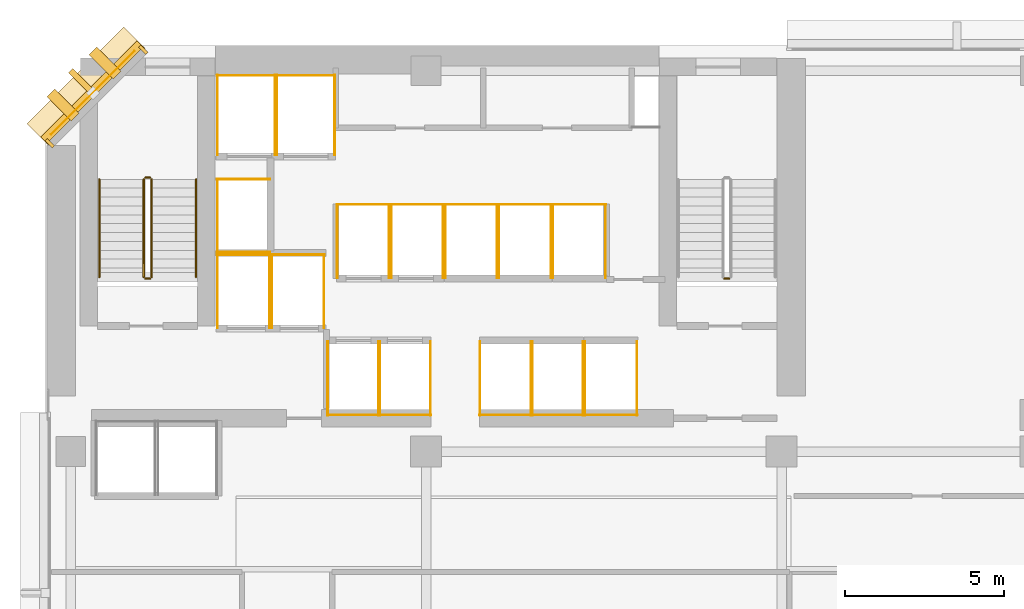
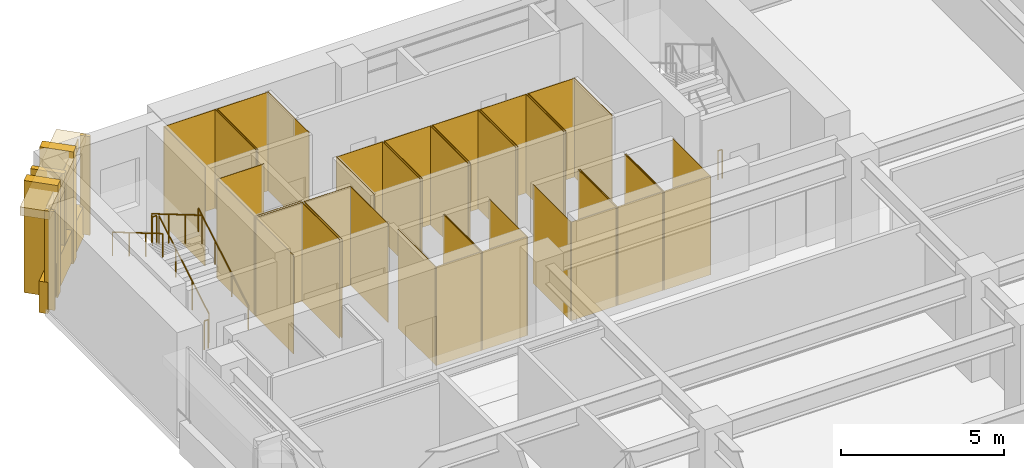
# One storey, part 11 of 13: 52 coverings, 7 railings, 1 shading device.
"""IFC4 building model written with IfcOpenShell, lengths in metres."""

from ifc_helpers import new_model, si_unit, direction, frame, origin, origin_2d, place, context, subcontext, project, spatial, polyline, rectangle, circle, outline, extrude, material, layer, layer_set, material_profile, profile_set, type_object, element, save


model = new_model("IFC4")

# Units and contexts
model_context = context("Model", 3, precision=1e-05, world=origin(), true_north=direction((0.0, 1.0)))
body_context = subcontext(model_context, "Body", "Model", "MODEL_VIEW")
ifc_project = project(units=[si_unit("LENGTHUNIT", "METRE"), si_unit("AREAUNIT", "SQUARE_METRE"), si_unit("VOLUMEUNIT", "CUBIC_METRE"), si_unit("PLANEANGLEUNIT", "RADIAN"), si_unit("MASSUNIT", "GRAM", prefix="KILO")], contexts=[model_context])

# Site, building, storey
site_placement = place(None, origin())
site = spatial("IfcSite", under=ifc_project, at=site_placement, CompositionType="ELEMENT")
building_placement = place(site_placement, origin())
building = spatial("IfcBuilding", under=site, at=building_placement, Name="Kefirva Bronze Tower", CompositionType="ELEMENT")
storey_placement = place(building_placement, frame((0.0, 0.0, 46.199951171875)))
storey = spatial("IfcBuildingStorey", under=building, at=storey_placement, Name="L10", CompositionType="ELEMENT", Elevation=46.199951171875)

# Coverings
ifc_material_1 = material(Name="Bronze anodised aluminium", Category="aluminium")
ifc_layer_1 = layer(ifc_material_1, 0.02001953125, Name="Bronze anodised aluminium")
ifc_layer_set_1 = layer_set([ifc_layer_1], Name="Bronze anodised aluminium")
covering_type_1 = type_object("IfcCoveringType", Name="Anodised Bronze Spandrel Cladding 20mm", PredefinedType="CLADDING", material=ifc_layer_set_1)
covering_1_placement = place(storey_placement, frame((1.492919921875, 44.507080078125, 3.2900390625), z_axis=(0.0, 0.0, 1.0), x_axis=(-0.707106781187, -0.707106781187, 0.0)))
element("IfcCovering", 1, at=covering_1_placement, inside=storey, type_object=covering_type_1, Name="L10 Bronze Spandrel Cladding 6", PredefinedType="CLADDING", context=body_context, shape_type="SweptSolid", body=[
    extrude(rectangle(XDim=3.719482421875, YDim=0.02001953125, at=origin_2d()), origin(), (0.0, 0.0, 1.0), 0.39990234375),
])
for number, where, z_axis, x_axis, name in (
    (2, (3.08837890625, 45.862060546875, 0.0), (0.0, 0.0, 1.0), (-0.707106781187, -0.707106781187, 0.0), "L10 Facade Joint Closure Panel 6S"),
    (3, (0.137939453125, 42.91162109375, 0.0), (0.0, 0.0, 1.0), (-0.707106781187, -0.707106781187, 0.0), "L10 Facade Joint Closure Panel 6E"),
):
    element("IfcCovering", number, at=place(storey_placement, frame(where, z_axis=z_axis, x_axis=x_axis)), inside=storey, type_object=covering_type_1, Name=name, PredefinedType="CLADDING", context=body_context, shape_type="SweptSolid", body=[
        extrude(rectangle(XDim=0.10009765625, YDim=0.320068359375, at=origin_2d()), origin(), (0.0, 0.0, 1.0), 3.7099609375),
    ])
covering_2_placement = place(storey_placement, frame((1.4716796875, 44.5283203125, -0.16015625), z_axis=(0.0, 0.0, 1.0), x_axis=(-0.707106781187, -0.707106781187, 0.0)))
element("IfcCovering", 4, at=covering_2_placement, inside=storey, type_object=covering_type_1, Name="L10 Streamline Horizontal Spandrel Band 9", PredefinedType="CLADDING", context=body_context, shape_type="SweptSolid", body=[
    extrude(rectangle(XDim=4.28271484375, YDim=0.280029296875, at=origin_2d()), origin(), (0.0, 0.0, 1.0), 1.179931640625),
])
covering_3_placement = place(storey_placement, origin())
element("IfcCovering", 5, at=covering_3_placement, inside=storey, type_object=covering_type_1, Name="L10 Lift FF1 Hoistway Liner N", PredefinedType="CLADDING", context=body_context, shape_type="SweptSolid", body=[
    extrude(outline(polyline([(5.39990234375, 39.389892578125), (7.080078125, 39.389892578125), (7.080078125, 39.409912109375), (5.39990234375, 39.409912109375), (5.39990234375, 39.389892578125)])), origin(), (0.0, 0.0, 1.0), 3.7099609375),
])
covering_4_placement = place(storey_placement, origin())
element("IfcCovering", 6, at=covering_4_placement, inside=storey, type_object=covering_type_1, Name="L10 Lift FF1 Hoistway Liner W", PredefinedType="CLADDING", context=body_context, shape_type="SweptSolid", body=[
    extrude(outline(polyline([(5.409912109375, 37.080078125), (5.429931640625, 37.080078125), (5.429931640625, 39.419921875), (5.409912109375, 39.419921875), (5.409912109375, 37.080078125)])), origin(), (0.0, 0.0, 1.0), 3.7099609375),
])
covering_5_placement = place(storey_placement, origin())
element("IfcCovering", 7, at=covering_5_placement, inside=storey, type_object=covering_type_1, Name="L10 Lift FF1 Hoistway Liner E", PredefinedType="CLADDING", context=body_context, shape_type="SweptSolid", body=[
    extrude(outline(polyline([(7.050048828125, 37.080078125), (7.070068359375, 37.080078125), (7.070068359375, 39.419921875), (7.050048828125, 39.419921875), (7.050048828125, 37.080078125)])), origin(), (0.0, 0.0, 1.0), 3.7099609375),
])
covering_6_placement = place(storey_placement, origin())
element("IfcCovering", 8, at=covering_6_placement, inside=storey, type_object=covering_type_1, Name="L10 Lift FF2 Hoistway Liner N", PredefinedType="CLADDING", context=body_context, shape_type="SweptSolid", body=[
    extrude(outline(polyline([(7.1201171875, 39.389892578125), (8.800048828125, 39.389892578125), (8.800048828125, 39.409912109375), (7.1201171875, 39.409912109375), (7.1201171875, 39.389892578125)])), origin(), (0.0, 0.0, 1.0), 3.7099609375),
])
covering_7_placement = place(storey_placement, origin())
element("IfcCovering", 9, at=covering_7_placement, inside=storey, type_object=covering_type_1, Name="L10 Lift FF2 Hoistway Liner W", PredefinedType="CLADDING", context=body_context, shape_type="SweptSolid", body=[
    extrude(outline(polyline([(7.1298828125, 37.080078125), (7.14990234375, 37.080078125), (7.14990234375, 39.419921875), (7.1298828125, 39.419921875), (7.1298828125, 37.080078125)])), origin(), (0.0, 0.0, 1.0), 3.7099609375),
])
covering_8_placement = place(storey_placement, origin())
element("IfcCovering", 10, at=covering_8_placement, inside=storey, type_object=covering_type_1, Name="L10 Lift FF2 Hoistway Liner E", PredefinedType="CLADDING", context=body_context, shape_type="SweptSolid", body=[
    extrude(outline(polyline([(8.77001953125, 37.080078125), (8.7900390625, 37.080078125), (8.7900390625, 39.419921875), (8.77001953125, 39.419921875), (8.77001953125, 37.080078125)])), origin(), (0.0, 0.0, 1.0), 3.7099609375),
])
covering_9_placement = place(storey_placement, origin())
element("IfcCovering", 11, at=covering_9_placement, inside=storey, type_object=covering_type_1, Name="L10 Lift SV1 Hoistway Liner N", PredefinedType="CLADDING", context=body_context, shape_type="SweptSolid", body=[
    extrude(outline(polyline([(5.39990234375, 45.0400390625), (7.260009765625, 45.0400390625), (7.260009765625, 45.06005859375), (5.39990234375, 45.06005859375), (5.39990234375, 45.0400390625)])), origin(), (0.0, 0.0, 1.0), 3.7099609375),
])
covering_10_placement = place(storey_placement, origin())
element("IfcCovering", 12, at=covering_10_placement, inside=storey, type_object=covering_type_1, Name="L10 Lift SV1 Hoistway Liner W", PredefinedType="CLADDING", context=body_context, shape_type="SweptSolid", body=[
    extrude(outline(polyline([(5.409912109375, 42.530029296875), (5.429931640625, 42.530029296875), (5.429931640625, 45.070068359375), (5.409912109375, 45.070068359375), (5.409912109375, 42.530029296875)])), origin(), (0.0, 0.0, 1.0), 3.7099609375),
])
covering_11_placement = place(storey_placement, origin())
element("IfcCovering", 13, at=covering_11_placement, inside=storey, type_object=covering_type_1, Name="L10 Lift SV1 Hoistway Liner E", PredefinedType="CLADDING", context=body_context, shape_type="SweptSolid", body=[
    extrude(outline(polyline([(7.22998046875, 42.530029296875), (7.25, 42.530029296875), (7.25, 45.070068359375), (7.22998046875, 45.070068359375), (7.22998046875, 42.530029296875)])), origin(), (0.0, 0.0, 1.0), 3.7099609375),
])
covering_12_placement = place(storey_placement, origin())
element("IfcCovering", 14, at=covering_12_placement, inside=storey, type_object=covering_type_1, Name="L10 Lift SV2 Hoistway Liner N", PredefinedType="CLADDING", context=body_context, shape_type="SweptSolid", body=[
    extrude(outline(polyline([(7.280029296875, 45.0400390625), (9.139892578125, 45.0400390625), (9.139892578125, 45.06005859375), (7.280029296875, 45.06005859375), (7.280029296875, 45.0400390625)])), origin(), (0.0, 0.0, 1.0), 3.7099609375),
])
covering_13_placement = place(storey_placement, origin())
element("IfcCovering", 15, at=covering_13_placement, inside=storey, type_object=covering_type_1, Name="L10 Lift SV2 Hoistway Liner W", PredefinedType="CLADDING", context=body_context, shape_type="SweptSolid", body=[
    extrude(outline(polyline([(7.2900390625, 42.530029296875), (7.31005859375, 42.530029296875), (7.31005859375, 45.070068359375), (7.2900390625, 45.070068359375), (7.2900390625, 42.530029296875)])), origin(), (0.0, 0.0, 1.0), 3.7099609375),
])
covering_14_placement = place(storey_placement, origin())
element("IfcCovering", 16, at=covering_14_placement, inside=storey, type_object=covering_type_1, Name="L10 Lift SV2 Hoistway Liner E", PredefinedType="CLADDING", context=body_context, shape_type="SweptSolid", body=[
    extrude(outline(polyline([(9.110107421875, 42.530029296875), (9.1298828125, 42.530029296875), (9.1298828125, 45.070068359375), (9.110107421875, 45.070068359375), (9.110107421875, 42.530029296875)])), origin(), (0.0, 0.0, 1.0), 3.7099609375),
])
covering_15_placement = place(storey_placement, origin())
element("IfcCovering", 17, at=covering_15_placement, inside=storey, type_object=covering_type_1, Name="L10 Lift LP1 Hoistway Liner S", PredefinedType="CLADDING", context=body_context, shape_type="SweptSolid", body=[
    extrude(outline(polyline([(8.8798828125, 34.340087890625), (10.52001953125, 34.340087890625), (10.52001953125, 34.360107421875), (8.8798828125, 34.360107421875), (8.8798828125, 34.340087890625)])), origin(), (0.0, 0.0, 1.0), 3.7099609375),
])
covering_16_placement = place(storey_placement, origin())
element("IfcCovering", 18, at=covering_16_placement, inside=storey, type_object=covering_type_1, Name="L10 Lift LP1 Hoistway Liner W", PredefinedType="CLADDING", context=body_context, shape_type="SweptSolid", body=[
    extrude(outline(polyline([(8.889892578125, 34.330078125), (8.909912109375, 34.330078125), (8.909912109375, 36.669921875), (8.889892578125, 36.669921875), (8.889892578125, 34.330078125)])), origin(), (0.0, 0.0, 1.0), 3.7099609375),
])
covering_17_placement = place(storey_placement, origin())
element("IfcCovering", 19, at=covering_17_placement, inside=storey, type_object=covering_type_1, Name="L10 Lift LP1 Hoistway Liner E", PredefinedType="CLADDING", context=body_context, shape_type="SweptSolid", body=[
    extrude(outline(polyline([(10.489990234375, 34.330078125), (10.510009765625, 34.330078125), (10.510009765625, 36.669921875), (10.489990234375, 36.669921875), (10.489990234375, 34.330078125)])), origin(), (0.0, 0.0, 1.0), 3.7099609375),
])
covering_18_placement = place(storey_placement, origin())
element("IfcCovering", 20, at=covering_18_placement, inside=storey, type_object=covering_type_1, Name="L10 Lift LP2 Hoistway Liner S", PredefinedType="CLADDING", context=body_context, shape_type="SweptSolid", body=[
    extrude(outline(polyline([(10.52001953125, 34.340087890625), (12.159912109375, 34.340087890625), (12.159912109375, 34.360107421875), (10.52001953125, 34.360107421875), (10.52001953125, 34.340087890625)])), origin(), (0.0, 0.0, 1.0), 3.7099609375),
])
covering_19_placement = place(storey_placement, origin())
element("IfcCovering", 21, at=covering_19_placement, inside=storey, type_object=covering_type_1, Name="L10 Lift LP2 Hoistway Liner W", PredefinedType="CLADDING", context=body_context, shape_type="SweptSolid", body=[
    extrude(outline(polyline([(10.530029296875, 34.330078125), (10.550048828125, 34.330078125), (10.550048828125, 36.669921875), (10.530029296875, 36.669921875), (10.530029296875, 34.330078125)])), origin(), (0.0, 0.0, 1.0), 3.7099609375),
])
covering_20_placement = place(storey_placement, origin())
element("IfcCovering", 22, at=covering_20_placement, inside=storey, type_object=covering_type_1, Name="L10 Lift LP2 Hoistway Liner E", PredefinedType="CLADDING", context=body_context, shape_type="SweptSolid", body=[
    extrude(outline(polyline([(12.1298828125, 34.330078125), (12.14990234375, 34.330078125), (12.14990234375, 36.669921875), (12.1298828125, 36.669921875), (12.1298828125, 34.330078125)])), origin(), (0.0, 0.0, 1.0), 3.7099609375),
])
covering_21_placement = place(storey_placement, origin())
element("IfcCovering", 23, at=covering_21_placement, inside=storey, type_object=covering_type_1, Name="L10 Lift LP3 Hoistway Liner N", PredefinedType="CLADDING", context=body_context, shape_type="SweptSolid", body=[
    extrude(outline(polyline([(9.179931640625, 40.969970703125), (10.85009765625, 40.969970703125), (10.85009765625, 40.989990234375), (9.179931640625, 40.989990234375), (9.179931640625, 40.969970703125)])), origin(), (0.0, 0.0, 1.0), 3.7099609375),
])
covering_22_placement = place(storey_placement, origin())
element("IfcCovering", 24, at=covering_22_placement, inside=storey, type_object=covering_type_1, Name="L10 Lift LP3 Hoistway Liner W", PredefinedType="CLADDING", context=body_context, shape_type="SweptSolid", body=[
    extrude(outline(polyline([(9.18994140625, 38.659912109375), (9.2099609375, 38.659912109375), (9.2099609375, 41.0), (9.18994140625, 41.0), (9.18994140625, 38.659912109375)])), origin(), (0.0, 0.0, 1.0), 3.7099609375),
])
covering_23_placement = place(storey_placement, origin())
element("IfcCovering", 25, at=covering_23_placement, inside=storey, type_object=covering_type_1, Name="L10 Lift LP3 Hoistway Liner E", PredefinedType="CLADDING", context=body_context, shape_type="SweptSolid", body=[
    extrude(outline(polyline([(10.820068359375, 38.659912109375), (10.840087890625, 38.659912109375), (10.840087890625, 41.0), (10.820068359375, 41.0), (10.820068359375, 38.659912109375)])), origin(), (0.0, 0.0, 1.0), 3.7099609375),
])
covering_24_placement = place(storey_placement, origin())
element("IfcCovering", 26, at=covering_24_placement, inside=storey, type_object=covering_type_1, Name="L10 Lift LP4 Hoistway Liner N", PredefinedType="CLADDING", context=body_context, shape_type="SweptSolid", body=[
    extrude(outline(polyline([(10.8798828125, 40.969970703125), (12.550048828125, 40.969970703125), (12.550048828125, 40.989990234375), (10.8798828125, 40.989990234375), (10.8798828125, 40.969970703125)])), origin(), (0.0, 0.0, 1.0), 3.7099609375),
])
covering_25_placement = place(storey_placement, origin())
element("IfcCovering", 27, at=covering_25_placement, inside=storey, type_object=covering_type_1, Name="L10 Lift LP4 Hoistway Liner W", PredefinedType="CLADDING", context=body_context, shape_type="SweptSolid", body=[
    extrude(outline(polyline([(10.889892578125, 38.659912109375), (10.909912109375, 38.659912109375), (10.909912109375, 41.0), (10.889892578125, 41.0), (10.889892578125, 38.659912109375)])), origin(), (0.0, 0.0, 1.0), 3.7099609375),
])
covering_26_placement = place(storey_placement, origin())
element("IfcCovering", 28, at=covering_26_placement, inside=storey, type_object=covering_type_1, Name="L10 Lift LP4 Hoistway Liner E", PredefinedType="CLADDING", context=body_context, shape_type="SweptSolid", body=[
    extrude(outline(polyline([(12.52001953125, 38.659912109375), (12.5400390625, 38.659912109375), (12.5400390625, 41.0), (12.52001953125, 41.0), (12.52001953125, 38.659912109375)])), origin(), (0.0, 0.0, 1.0), 3.7099609375),
])
covering_27_placement = place(storey_placement, origin())
element("IfcCovering", 29, at=covering_27_placement, inside=storey, type_object=covering_type_1, Name="L10 Lift MP1 Hoistway Liner S", PredefinedType="CLADDING", context=body_context, shape_type="SweptSolid", body=[
    extrude(outline(polyline([(13.679931640625, 34.340087890625), (15.320068359375, 34.340087890625), (15.320068359375, 34.360107421875), (13.679931640625, 34.360107421875), (13.679931640625, 34.340087890625)])), origin(), (0.0, 0.0, 1.0), 3.7099609375),
])
covering_28_placement = place(storey_placement, origin())
element("IfcCovering", 30, at=covering_28_placement, inside=storey, type_object=covering_type_1, Name="L10 Lift MP1 Hoistway Liner W", PredefinedType="CLADDING", context=body_context, shape_type="SweptSolid", body=[
    extrude(outline(polyline([(13.68994140625, 34.330078125), (13.7099609375, 34.330078125), (13.7099609375, 36.669921875), (13.68994140625, 36.669921875), (13.68994140625, 34.330078125)])), origin(), (0.0, 0.0, 1.0), 3.7099609375),
])
covering_29_placement = place(storey_placement, origin())
element("IfcCovering", 31, at=covering_29_placement, inside=storey, type_object=covering_type_1, Name="L10 Lift MP1 Hoistway Liner E", PredefinedType="CLADDING", context=body_context, shape_type="SweptSolid", body=[
    extrude(outline(polyline([(15.2900390625, 34.330078125), (15.31005859375, 34.330078125), (15.31005859375, 36.669921875), (15.2900390625, 36.669921875), (15.2900390625, 34.330078125)])), origin(), (0.0, 0.0, 1.0), 3.7099609375),
])
covering_30_placement = place(storey_placement, origin())
element("IfcCovering", 32, at=covering_30_placement, inside=storey, type_object=covering_type_1, Name="L10 Lift MP2 Hoistway Liner S", PredefinedType="CLADDING", context=body_context, shape_type="SweptSolid", body=[
    extrude(outline(polyline([(15.330078125, 34.340087890625), (16.969970703125, 34.340087890625), (16.969970703125, 34.360107421875), (15.330078125, 34.360107421875), (15.330078125, 34.340087890625)])), origin(), (0.0, 0.0, 1.0), 3.7099609375),
])
covering_31_placement = place(storey_placement, origin())
element("IfcCovering", 33, at=covering_31_placement, inside=storey, type_object=covering_type_1, Name="L10 Lift MP2 Hoistway Liner W", PredefinedType="CLADDING", context=body_context, shape_type="SweptSolid", body=[
    extrude(outline(polyline([(15.340087890625, 34.330078125), (15.360107421875, 34.330078125), (15.360107421875, 36.669921875), (15.340087890625, 36.669921875), (15.340087890625, 34.330078125)])), origin(), (0.0, 0.0, 1.0), 3.7099609375),
])
covering_32_placement = place(storey_placement, origin())
element("IfcCovering", 34, at=covering_32_placement, inside=storey, type_object=covering_type_1, Name="L10 Lift MP2 Hoistway Liner E", PredefinedType="CLADDING", context=body_context, shape_type="SweptSolid", body=[
    extrude(outline(polyline([(16.93994140625, 34.330078125), (16.9599609375, 34.330078125), (16.9599609375, 36.669921875), (16.93994140625, 36.669921875), (16.93994140625, 34.330078125)])), origin(), (0.0, 0.0, 1.0), 3.7099609375),
])
covering_33_placement = place(storey_placement, origin())
element("IfcCovering", 35, at=covering_33_placement, inside=storey, type_object=covering_type_1, Name="L10 Lift MP3 Hoistway Liner N", PredefinedType="CLADDING", context=body_context, shape_type="SweptSolid", body=[
    extrude(outline(polyline([(12.580078125, 40.969970703125), (14.25, 40.969970703125), (14.25, 40.989990234375), (12.580078125, 40.989990234375), (12.580078125, 40.969970703125)])), origin(), (0.0, 0.0, 1.0), 3.7099609375),
])
covering_34_placement = place(storey_placement, origin())
element("IfcCovering", 36, at=covering_34_placement, inside=storey, type_object=covering_type_1, Name="L10 Lift MP3 Hoistway Liner W", PredefinedType="CLADDING", context=body_context, shape_type="SweptSolid", body=[
    extrude(outline(polyline([(12.590087890625, 38.659912109375), (12.610107421875, 38.659912109375), (12.610107421875, 41.0), (12.590087890625, 41.0), (12.590087890625, 38.659912109375)])), origin(), (0.0, 0.0, 1.0), 3.7099609375),
])
covering_35_placement = place(storey_placement, origin())
element("IfcCovering", 37, at=covering_35_placement, inside=storey, type_object=covering_type_1, Name="L10 Lift MP3 Hoistway Liner E", PredefinedType="CLADDING", context=body_context, shape_type="SweptSolid", body=[
    extrude(outline(polyline([(14.219970703125, 38.659912109375), (14.239990234375, 38.659912109375), (14.239990234375, 41.0), (14.219970703125, 41.0), (14.219970703125, 38.659912109375)])), origin(), (0.0, 0.0, 1.0), 3.7099609375),
])
covering_36_placement = place(storey_placement, origin())
element("IfcCovering", 38, at=covering_36_placement, inside=storey, type_object=covering_type_1, Name="L10 Lift MP4 Hoistway Liner N", PredefinedType="CLADDING", context=body_context, shape_type="SweptSolid", body=[
    extrude(outline(polyline([(14.280029296875, 40.969970703125), (15.949951171875, 40.969970703125), (15.949951171875, 40.989990234375), (14.280029296875, 40.989990234375), (14.280029296875, 40.969970703125)])), origin(), (0.0, 0.0, 1.0), 3.7099609375),
])
covering_37_placement = place(storey_placement, origin())
element("IfcCovering", 39, at=covering_37_placement, inside=storey, type_object=covering_type_1, Name="L10 Lift MP4 Hoistway Liner W", PredefinedType="CLADDING", context=body_context, shape_type="SweptSolid", body=[
    extrude(outline(polyline([(14.2900390625, 38.659912109375), (14.31005859375, 38.659912109375), (14.31005859375, 41.0), (14.2900390625, 41.0), (14.2900390625, 38.659912109375)])), origin(), (0.0, 0.0, 1.0), 3.7099609375),
])
covering_38_placement = place(storey_placement, origin())
element("IfcCovering", 40, at=covering_38_placement, inside=storey, type_object=covering_type_1, Name="L10 Lift MP4 Hoistway Liner E", PredefinedType="CLADDING", context=body_context, shape_type="SweptSolid", body=[
    extrude(outline(polyline([(15.919921875, 38.659912109375), (15.93994140625, 38.659912109375), (15.93994140625, 41.0), (15.919921875, 41.0), (15.919921875, 38.659912109375)])), origin(), (0.0, 0.0, 1.0), 3.7099609375),
])
covering_39_placement = place(storey_placement, origin())
element("IfcCovering", 41, at=covering_39_placement, inside=storey, type_object=covering_type_1, Name="L10 Lift HP1 Hoistway Liner S", PredefinedType="CLADDING", context=body_context, shape_type="SweptSolid", body=[
    extrude(outline(polyline([(16.97998046875, 34.340087890625), (18.669921875, 34.340087890625), (18.669921875, 34.360107421875), (16.97998046875, 34.360107421875), (16.97998046875, 34.340087890625)])), origin(), (0.0, 0.0, 1.0), 3.7099609375),
])
covering_40_placement = place(storey_placement, origin())
element("IfcCovering", 42, at=covering_40_placement, inside=storey, type_object=covering_type_1, Name="L10 Lift HP1 Hoistway Liner W", PredefinedType="CLADDING", context=body_context, shape_type="SweptSolid", body=[
    extrude(outline(polyline([(16.989990234375, 34.330078125), (17.010009765625, 34.330078125), (17.010009765625, 36.669921875), (16.989990234375, 36.669921875), (16.989990234375, 34.330078125)])), origin(), (0.0, 0.0, 1.0), 3.7099609375),
])
covering_41_placement = place(storey_placement, origin())
element("IfcCovering", 43, at=covering_41_placement, inside=storey, type_object=covering_type_1, Name="L10 Lift HP1 Hoistway Liner E", PredefinedType="CLADDING", context=body_context, shape_type="SweptSolid", body=[
    extrude(outline(polyline([(18.639892578125, 34.330078125), (18.659912109375, 34.330078125), (18.659912109375, 36.669921875), (18.639892578125, 36.669921875), (18.639892578125, 34.330078125)])), origin(), (0.0, 0.0, 1.0), 3.7099609375),
])
covering_42_placement = place(storey_placement, origin())
element("IfcCovering", 44, at=covering_42_placement, inside=storey, type_object=covering_type_1, Name="L10 Lift HP2 Hoistway Liner N", PredefinedType="CLADDING", context=body_context, shape_type="SweptSolid", body=[
    extrude(outline(polyline([(15.97998046875, 40.969970703125), (17.669921875, 40.969970703125), (17.669921875, 40.989990234375), (15.97998046875, 40.989990234375), (15.97998046875, 40.969970703125)])), origin(), (0.0, 0.0, 1.0), 3.7099609375),
])
covering_43_placement = place(storey_placement, origin())
element("IfcCovering", 45, at=covering_43_placement, inside=storey, type_object=covering_type_1, Name="L10 Lift HP2 Hoistway Liner W", PredefinedType="CLADDING", context=body_context, shape_type="SweptSolid", body=[
    extrude(outline(polyline([(15.989990234375, 38.659912109375), (16.010009765625, 38.659912109375), (16.010009765625, 41.0), (15.989990234375, 41.0), (15.989990234375, 38.659912109375)])), origin(), (0.0, 0.0, 1.0), 3.7099609375),
])
covering_44_placement = place(storey_placement, origin())
element("IfcCovering", 46, at=covering_44_placement, inside=storey, type_object=covering_type_1, Name="L10 Lift HP2 Hoistway Liner E", PredefinedType="CLADDING", context=body_context, shape_type="SweptSolid", body=[
    extrude(outline(polyline([(17.639892578125, 38.659912109375), (17.659912109375, 38.659912109375), (17.659912109375, 41.0), (17.639892578125, 41.0), (17.639892578125, 38.659912109375)])), origin(), (0.0, 0.0, 1.0), 3.7099609375),
])
covering_45_placement = place(storey_placement, origin())
element("IfcCovering", 47, at=covering_45_placement, inside=storey, type_object=covering_type_1, Name="L10 Lift HP3 Hoistway Liner N", PredefinedType="CLADDING", context=body_context, shape_type="SweptSolid", body=[
    extrude(outline(polyline([(5.39990234375, 41.77001953125), (7.080078125, 41.77001953125), (7.080078125, 41.7900390625), (5.39990234375, 41.7900390625), (5.39990234375, 41.77001953125)])), origin(), (0.0, 0.0, 1.0), 3.7099609375),
])
covering_46_placement = place(storey_placement, origin())
element("IfcCovering", 48, at=covering_46_placement, inside=storey, type_object=covering_type_1, Name="L10 Lift HP3 Hoistway Liner S", PredefinedType="CLADDING", context=body_context, shape_type="SweptSolid", body=[
    extrude(outline(polyline([(5.39990234375, 39.469970703125), (7.080078125, 39.469970703125), (7.080078125, 39.489990234375), (5.39990234375, 39.489990234375), (5.39990234375, 39.469970703125)])), origin(), (0.0, 0.0, 1.0), 3.7099609375),
])
covering_47_placement = place(storey_placement, origin())
element("IfcCovering", 49, at=covering_47_placement, inside=storey, type_object=covering_type_1, Name="L10 Lift HP3 Hoistway Liner W", PredefinedType="CLADDING", context=body_context, shape_type="SweptSolid", body=[
    extrude(outline(polyline([(5.409912109375, 39.4599609375), (5.429931640625, 39.4599609375), (5.429931640625, 41.800048828125), (5.409912109375, 41.800048828125), (5.409912109375, 39.4599609375)])), origin(), (0.0, 0.0, 1.0), 3.7099609375),
])

# Shading device
ifc_material_profile = material_profile(ifc_material_1, rectangle(XDim=0.179931640625, YDim=1.080078125, at=origin_2d()), Name="BRONZE BUTTRESS FIN 180x1080")
ifc_profile_set = profile_set([ifc_material_profile], Name="Bronze anodised aluminium")
shading_device_type = type_object("IfcShadingDeviceType", Name="Chamfered Corner Buttress Bronze Fin 1080mm", PredefinedType="USERDEFINED", material=ifc_profile_set)
shading_device_placement = place(storey_placement, frame((1.1748046875, 44.8251953125, -0.139892578125), z_axis=(0.0, 0.0, 1.0), x_axis=(-0.707106781187, -0.707106781187, 0.0)))
element("IfcShadingDevice", 50, at=shading_device_placement, inside=storey, type_object=shading_device_type, Name="L10 Chamfered Corner Buttress Fin 24", ObjectType="VERTICAL FIN", PredefinedType="USERDEFINED", context=body_context, shape_type="SweptSolid", body=[
    extrude(rectangle(XDim=0.179931640625, YDim=1.080078125, at=origin_2d()), origin(), (0.0, 0.0, 1.0), 3.849853515625),
])

# Railings
ifc_material_2 = material(Name="Stainless steel 316", Category="steel")
railing_type_1 = type_object("IfcRailingType", Name="Interior Stair Guardrail 1100mm", PredefinedType="GUARDRAIL", material=ifc_material_2)
railing_1_placement = place(storey_placement, frame((3.35009765625, 38.699951171875, 0.1650390625)))
element("IfcRailing", 51, at=railing_1_placement, inside=storey, type_object=railing_type_1, Name="L10 ST-1 stair guard 1", PredefinedType="GUARDRAIL", context=body_context, shape_type="SweptSolid", body=[
    extrude(circle(Radius=0.02392578125, at=origin_2d()), frame((0.0, 0.0, 1.076171875), z_axis=(0.0, 0.861551262678, 0.507670583921), x_axis=(-1.0, 0.0, 0.0)), (0.0, 0.0, 1.0), 3.574951171875),
    extrude(circle(Radius=0.02099609375, at=origin_2d()), origin(), (0.0, 0.0, 1.0), 1.052001953125),
    extrude(circle(Radius=0.02099609375, at=origin_2d()), frame((0.0, 1.026611328125, 0.60498046875)), (0.0, 0.0, 1.0), 1.052001953125),
    extrude(circle(Radius=0.02099609375, at=origin_2d()), frame((0.0, 2.053466796875, 1.2099609375)), (0.0, 0.0, 1.0), 1.052001953125),
    extrude(circle(Radius=0.02099609375, at=origin_2d()), frame((0.0, 3.080078125, 1.81494140625)), (0.0, 0.0, 1.0), 1.052001953125),
])
railing_2_placement = place(storey_placement, frame((3.300048828125, 41.830078125, 1.97998046875)))
element("IfcRailing", 52, at=railing_2_placement, inside=storey, type_object=railing_type_1, Name="L10 ST-1 stair guard 2", PredefinedType="GUARDRAIL", context=body_context, shape_type="SweptSolid", body=[
    extrude(circle(Radius=0.02392578125, at=origin_2d()), frame((0.0, 0.0, 1.076171875), z_axis=(-1.0, 0.0, 0.0), x_axis=(0.0, -1.0, 0.0)), (0.0, 0.0, 1.0), 0.150146484375),
    extrude(circle(Radius=0.02099609375, at=origin_2d()), origin(), (0.0, 0.0, 1.0), 1.052001953125),
    extrude(circle(Radius=0.02099609375, at=origin_2d()), frame((-0.150146484375, 0.0, 0.0)), (0.0, 0.0, 1.0), 1.052001953125),
])
railing_3_placement = place(storey_placement, frame((3.10009765625, 41.780029296875, 2.14501953125)))
element("IfcRailing", 53, at=railing_3_placement, inside=storey, type_object=railing_type_1, Name="L10 ST-1 stair guard 3", PredefinedType="GUARDRAIL", context=body_context, shape_type="SweptSolid", body=[
    extrude(circle(Radius=0.02392578125, at=origin_2d()), frame((0.0, 0.0, 1.076171875), z_axis=(0.0, -0.861551262678, 0.507670583921), x_axis=(1.0, 0.0, 0.0)), (0.0, 0.0, 1.0), 3.574951171875),
    extrude(circle(Radius=0.02099609375, at=origin_2d()), origin(), (0.0, 0.0, 1.0), 1.052001953125),
    extrude(circle(Radius=0.02099609375, at=origin_2d()), frame((0.0, -1.026611328125, 0.60498046875)), (0.0, 0.0, 1.0), 1.052001953125),
    extrude(circle(Radius=0.02099609375, at=origin_2d()), frame((0.0, -2.053466796875, 1.2099609375)), (0.0, 0.0, 1.0), 1.052001953125),
    extrude(circle(Radius=0.02099609375, at=origin_2d()), frame((0.0, -3.080078125, 1.81494140625)), (0.0, 0.0, 1.0), 1.052001953125),
])
for number, where, name in (
    (54, (3.300048828125, 38.64990234375, 0.0), "L10 ST-1 stair guard 4"),
    (55, (21.550048828125, 38.64990234375, 0.0), "L10 ST-2 stair guard 4"),
):
    element("IfcRailing", number, at=place(storey_placement, frame(where)), inside=storey, type_object=railing_type_1, Name=name, PredefinedType="GUARDRAIL", context=body_context, shape_type="SweptSolid", body=[
        extrude(circle(Radius=0.02392578125, at=origin_2d()), frame((0.0, 0.0, 1.076171875), z_axis=(-1.0, 0.0, 0.0), x_axis=(0.0, -1.0, 0.0)), (0.0, 0.0, 1.0), 0.150146484375),
        extrude(circle(Radius=0.02099609375, at=origin_2d()), origin(), (0.0, 0.0, 1.0), 1.052001953125),
        extrude(circle(Radius=0.02099609375, at=origin_2d()), frame((-0.150146484375, 0.0, 0.0)), (0.0, 0.0, 1.0), 1.052001953125),
    ])
railing_type_2 = type_object("IfcRailingType", Name="Stair Pitch Handrail 900mm", PredefinedType="HANDRAIL", material=ifc_material_2)
railing_4_placement = place(storey_placement, frame((4.75, 38.699951171875, 0.1650390625)))
element("IfcRailing", 56, at=railing_4_placement, inside=storey, type_object=railing_type_2, Name="L10 ST-1 stair handrail 1", PredefinedType="HANDRAIL", context=body_context, shape_type="SweptSolid", body=[
    extrude(circle(Radius=0.02392578125, at=origin_2d()), frame((0.0, 0.0, 0.8759765625), z_axis=(0.0, 0.861551262678, 0.507670583921), x_axis=(-1.0, 0.0, 0.0)), (0.0, 0.0, 1.0), 3.574951171875),
    extrude(circle(Radius=0.02099609375, at=origin_2d()), origin(), (0.0, 0.0, 1.0), 0.851806640625),
    extrude(circle(Radius=0.02099609375, at=origin_2d()), frame((0.0, 1.026611328125, 0.60498046875)), (0.0, 0.0, 1.0), 0.851806640625),
    extrude(circle(Radius=0.02099609375, at=origin_2d()), frame((0.0, 2.053466796875, 1.2099609375)), (0.0, 0.0, 1.0), 0.851806640625),
    extrude(circle(Radius=0.02099609375, at=origin_2d()), frame((0.0, 3.080078125, 1.81494140625)), (0.0, 0.0, 1.0), 0.851806640625),
])
railing_5_placement = place(storey_placement, frame((1.699951171875, 41.780029296875, 2.14501953125)))
element("IfcRailing", 57, at=railing_5_placement, inside=storey, type_object=railing_type_2, Name="L10 ST-1 stair handrail 2", PredefinedType="HANDRAIL", context=body_context, shape_type="SweptSolid", body=[
    extrude(circle(Radius=0.02392578125, at=origin_2d()), frame((0.0, 0.0, 0.8759765625), z_axis=(0.0, -0.861551262678, 0.507670583921), x_axis=(1.0, 0.0, 0.0)), (0.0, 0.0, 1.0), 3.574951171875),
    extrude(circle(Radius=0.02099609375, at=origin_2d()), origin(), (0.0, 0.0, 1.0), 0.851806640625),
    extrude(circle(Radius=0.02099609375, at=origin_2d()), frame((0.0, -1.026611328125, 0.60498046875)), (0.0, 0.0, 1.0), 0.851806640625),
    extrude(circle(Radius=0.02099609375, at=origin_2d()), frame((0.0, -2.053466796875, 1.2099609375)), (0.0, 0.0, 1.0), 0.851806640625),
    extrude(circle(Radius=0.02099609375, at=origin_2d()), frame((0.0, -3.080078125, 1.81494140625)), (0.0, 0.0, 1.0), 0.851806640625),
])

# Coverings
ifc_layer_2 = layer(ifc_material_1, 0.179931640625, Name="Bronze anodised aluminium")
ifc_layer_set_2 = layer_set([ifc_layer_2], Name="Bronze anodised aluminium")
covering_type_2 = type_object("IfcCoveringType", Name="Streamline Bronze Sunshade Eyebrow Cladding 180mm", PredefinedType="CLADDING", material=ifc_layer_set_2)
covering_48_placement = place(storey_placement, frame((1.28076171875, 44.71923828125, 3.39013671875), z_axis=(0.0, 0.0, 1.0), x_axis=(-0.707106781187, -0.707106781187, 0.0)))
element("IfcCovering", 58, at=covering_48_placement, inside=storey, type_object=covering_type_2, Name="L10 Streamline Bronze Sunshade Eyebrow 9", PredefinedType="CLADDING", context=body_context, shape_type="SweptSolid", body=[
    extrude(rectangle(XDim=4.322509765625, YDim=0.93994140625, at=origin_2d()), origin(), (0.0, 0.0, 1.0), 0.320068359375),
])
ifc_layer_3 = layer(ifc_material_1, 0.260009765625, Name="Bronze anodised aluminium")
ifc_layer_set_3 = layer_set([ifc_layer_3], Name="Bronze anodised aluminium")
covering_type_3 = type_object("IfcCoveringType", Name="Unbroken Bronze Buttress Fin Cladding 260mm", PredefinedType="CLADDING", material=ifc_layer_set_3)
for number, where, z_axis, x_axis, name in (
    (59, (1.877197265625, 45.44287109375, -0.25), (0.0, 0.0, 1.0), (-0.707106781187, -0.707106781187, 0.0), "L10 Chamfered Corner Buttress Fin Cladding 23"),
    (60, (0.55712890625, 44.122802734375, -0.25), (0.0, 0.0, 1.0), (-0.707106781187, -0.707106781187, 0.0), "L10 Chamfered Corner Buttress Fin Cladding 24"),
):
    element("IfcCovering", number, at=place(storey_placement, frame(where, z_axis=z_axis, x_axis=x_axis)), inside=storey, type_object=covering_type_3, Name=name, PredefinedType="CLADDING", context=body_context, shape_type="SweptSolid", body=[
        extrude(rectangle(XDim=0.340087890625, YDim=1.080078125, at=origin_2d()), origin(), (0.0, 0.0, 1.0), 4.2099609375),
    ])

save(model, "model.ifc")
